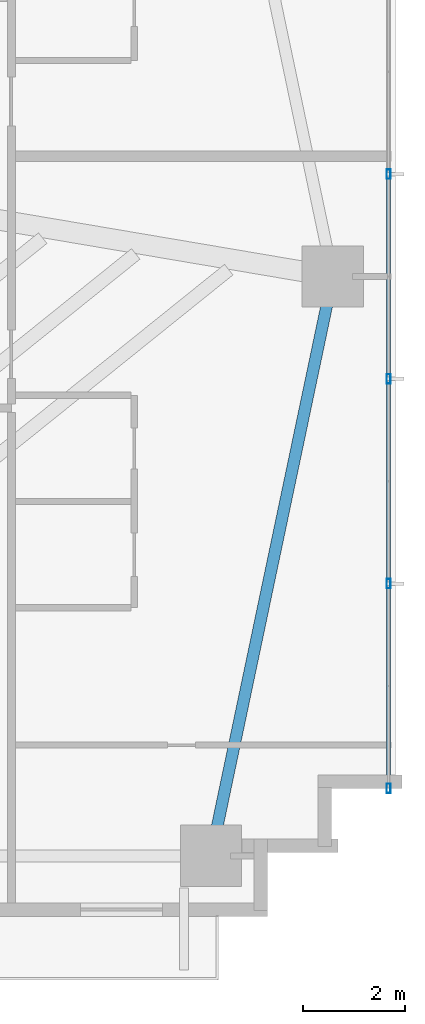
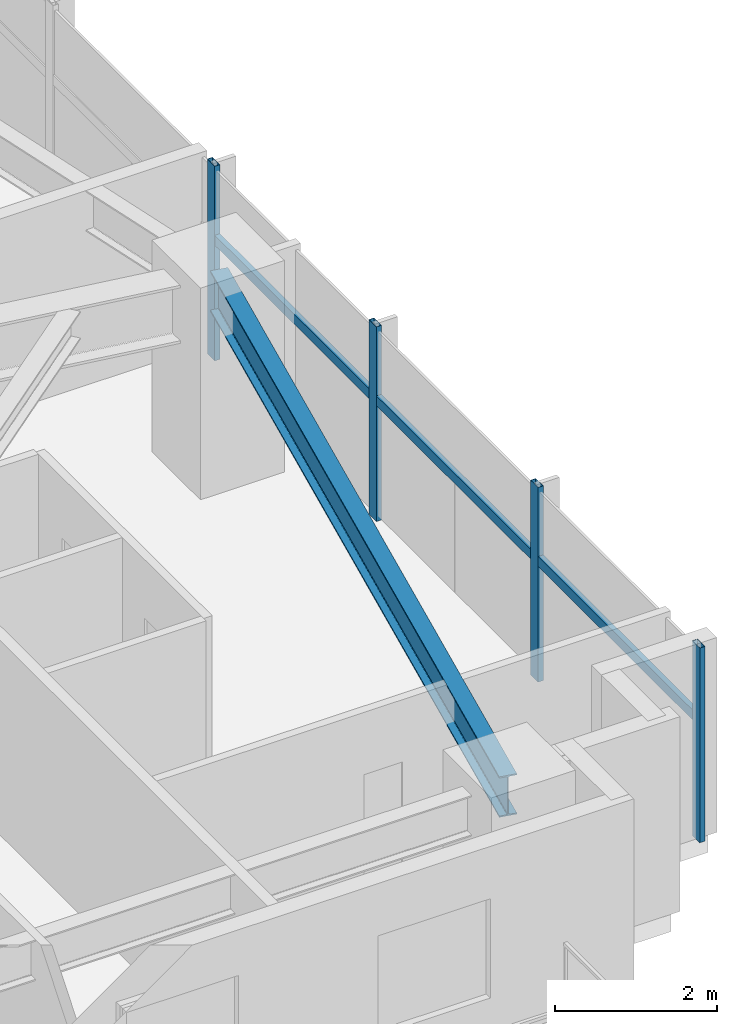
# One storey, part 14 of 25: 7 members, 1 beam, 1 element without a shape of its own.
"""IFC4 building model written with IfcOpenShell, lengths in metres."""

from ifc_helpers import new_model, si_unit, direction, frame, origin, origin_2d, place, context, subcontext, project, spatial, hollow_rectangle, i_section, extrude, source, transform, mapped, material, material_profile, profile_set, type_object, type_shapes, element, aggregate, save


model = new_model("IFC4")

# Units and contexts
model_context = context("Model", 3, precision=1e-05, world=origin(), true_north=direction((0.0, 1.0)))
body_context = subcontext(model_context, "Body", "Model", "MODEL_VIEW")
ifc_project = project(units=[si_unit("LENGTHUNIT", "METRE"), si_unit("AREAUNIT", "SQUARE_METRE"), si_unit("VOLUMEUNIT", "CUBIC_METRE"), si_unit("PLANEANGLEUNIT", "RADIAN"), si_unit("MASSUNIT", "GRAM", prefix="KILO")], contexts=[model_context])

# Site, building, storey
site_placement = place(None, origin())
site = spatial("IfcSite", under=ifc_project, at=site_placement, CompositionType="ELEMENT")
building_placement = place(site_placement, origin())
building = spatial("IfcBuilding", under=site, at=building_placement, Name="Astriad Promenade Condominiums", CompositionType="ELEMENT")
storey_placement = place(building_placement, frame((0.0, 0.0, 45.39990234375)))
storey = spatial("IfcBuildingStorey", under=building, at=storey_placement, Name="L12", CompositionType="ELEMENT", Elevation=45.39990234375)

# Beam
ifc_material_1 = material(Name="Steel ASTM A992 Grade 50", Category="steel")
ifc_material_profile_1 = material_profile(ifc_material_1, i_section(OverallWidth=0.22900390625, OverallDepth=0.612060546875, WebThickness=0.011962890625, FlangeThickness=0.01953125, FilletRadius=0.017822265625, at=origin_2d()), Name="W24X84")
ifc_profile_set_1 = profile_set([ifc_material_profile_1], Name="Steel ASTM A992 Grade 50")
beam_type = type_object("IfcBeamType", Name="STEEL SPANDREL BEAM W24X84", PredefinedType="SPANDREL", material=ifc_profile_set_1)
shared_shape_1 = source(origin(), body_context, "Body", "SweptSolid", [
    extrude(i_section(OverallWidth=0.22900390625, OverallDepth=0.612060546875, WebThickness=0.011962890625, FlangeThickness=0.01953125, FilletRadius=0.017822265625, at=origin_2d()), origin(), (0.0, 0.0, 1.0), 11.487548828125),
])
type_shapes(beam_type, [shared_shape_1])
beam_placement = place(storey_placement, frame((56.208251953125, 3.919189453125, 2.634033203125), z_axis=(0.205748055501, 0.978604995725, 0.0), x_axis=(-0.978604995725, 0.205748055501, 0.0)))
element("IfcBeam", 1, at=beam_placement, inside=storey, type_object=beam_type, Name="Perimeter Spandrel Beam SP-E1-L12", PredefinedType="SPANDREL", context=body_context, shape_type="MappedRepresentation", body=[
    mapped(shared_shape_1, transform((0.0, 0.0, 0.0), scale=1.0)),
])

# Curtain wall, members
ifc_material_2 = material(Name="Anodised aluminium Black Dark Glass Unitised", Category="aluminium")
curtain_wall_type = type_object("IfcCurtainWallType", Name="CW-B1-DARK", PredefinedType="USERDEFINED", material=ifc_material_2)
curtain_wall_placement = place(storey_placement, origin())
curtain_wall = element("IfcCurtainWall", 2, at=curtain_wall_placement, inside=storey, type_object=curtain_wall_type, Name="CW-L12-E", ObjectType="UNITISED_CURTAIN_WALL", PredefinedType="USERDEFINED")
ifc_material_3 = material(Name="Anodised aluminium 6063-T6 Black", Category="aluminium")
ifc_material_profile_2 = material_profile(ifc_material_3, hollow_rectangle(XDim=0.074951171875, YDim=0.14990234375, WallThickness=0.004150390625, at=origin_2d()), Name="ALU-TRN-75X150")
ifc_profile_set_2 = profile_set([ifc_material_profile_2], Name="Anodised aluminium 6063-T6 Black")
member_type_1 = type_object("IfcMemberType", Name="TRN-ALU-TRN-75X150", PredefinedType="USERDEFINED", material=ifc_profile_set_2)
shared_shape_2 = source(origin(), body_context, "Body", "SweptSolid", [
    extrude(hollow_rectangle(XDim=0.074951171875, YDim=0.14990234375, WallThickness=0.004150390625, at=origin_2d()), origin(), (0.0, 0.0, 1.0), 4.0),
])
type_shapes(member_type_1, [shared_shape_2])
member_1_placement = place(storey_placement, frame((59.669921875, 17.199951171875, 1.822998046875), z_axis=(0.0, -1.0, 0.0), x_axis=(1.0, 0.0, 0.0)))
member_1 = element("IfcMember", 3, at=member_1_placement, type_object=member_type_1, Name="CW-L12-E-TRN-02-0", ObjectType="TRANSOM", PredefinedType="USERDEFINED", context=body_context, shape_type="MappedRepresentation", body=[
    mapped(shared_shape_2, transform((0.0, 0.0, 0.0), scale=1.0)),
])
member_2_placement = place(storey_placement, frame((59.669921875, 13.199951171875, 1.822998046875), z_axis=(0.0, -1.0, 0.0), x_axis=(1.0, 0.0, 0.0)))
member_2 = element("IfcMember", 4, at=member_2_placement, type_object=member_type_1, Name="CW-L12-E-TRN-03-0", ObjectType="TRANSOM", PredefinedType="USERDEFINED", context=body_context, shape_type="MappedRepresentation", body=[
    mapped(shared_shape_2, transform((0.0, 0.0, 0.0), scale=1.0)),
])
member_3_placement = place(storey_placement, frame((59.669921875, 9.199951171875, 1.822998046875), z_axis=(0.0, -1.0, 0.0), x_axis=(1.0, 0.0, 0.0)))
member_3 = element("IfcMember", 5, at=member_3_placement, type_object=member_type_1, Name="CW-L12-E-TRN-04-0", ObjectType="TRANSOM", PredefinedType="USERDEFINED", context=body_context, shape_type="MappedRepresentation", body=[
    mapped(shared_shape_2, transform((0.0, 0.0, 0.0), scale=1.0)),
])
ifc_material_profile_3 = material_profile(ifc_material_3, hollow_rectangle(XDim=0.074951171875, YDim=0.18505859375, WallThickness=0.00439453125, at=origin_2d()), Name="ALU-MUL-75X185")
ifc_profile_set_3 = profile_set([ifc_material_profile_3], Name="Anodised aluminium 6063-T6 Black")
member_type_2 = type_object("IfcMemberType", Name="MUL-ALU-MUL-75X185", PredefinedType="MULLION", material=ifc_profile_set_3)
shared_shape_3 = source(origin(), body_context, "Body", "SweptSolid", [
    extrude(hollow_rectangle(XDim=0.074951171875, YDim=0.18505859375, WallThickness=0.00439453125, at=origin_2d()), origin(), (0.0, 0.0, 1.0), 2.940185546875),
])
type_shapes(member_type_2, [shared_shape_3])
member_4_placement = place(storey_placement, frame((59.669921875, 17.199951171875, 0.0), z_axis=(0.0, 0.0, 1.0), x_axis=(1.0, 0.0, 0.0)))
member_4 = element("IfcMember", 6, at=member_4_placement, type_object=member_type_2, Name="CW-L12-E-MUL-02", PredefinedType="MULLION", context=body_context, shape_type="MappedRepresentation", body=[
    mapped(shared_shape_3, transform((0.0, 0.0, 0.0), scale=1.0)),
])
member_5_placement = place(storey_placement, frame((59.669921875, 13.199951171875, 0.0), z_axis=(0.0, 0.0, 1.0), x_axis=(1.0, 0.0, 0.0)))
member_5 = element("IfcMember", 7, at=member_5_placement, type_object=member_type_2, Name="CW-L12-E-MUL-03", PredefinedType="MULLION", context=body_context, shape_type="MappedRepresentation", body=[
    mapped(shared_shape_3, transform((0.0, 0.0, 0.0), scale=1.0)),
])
member_6_placement = place(storey_placement, frame((59.669921875, 9.199951171875, 0.0), z_axis=(0.0, 0.0, 1.0), x_axis=(1.0, 0.0, 0.0)))
member_6 = element("IfcMember", 8, at=member_6_placement, type_object=member_type_2, Name="CW-L12-E-MUL-04", PredefinedType="MULLION", context=body_context, shape_type="MappedRepresentation", body=[
    mapped(shared_shape_3, transform((0.0, 0.0, 0.0), scale=1.0)),
])
member_7_placement = place(storey_placement, frame((59.669921875, 5.199951171875, 0.0), z_axis=(0.0, 0.0, 1.0), x_axis=(1.0, 0.0, 0.0)))
member_7 = element("IfcMember", 9, at=member_7_placement, type_object=member_type_2, Name="CW-L12-E-MUL-05", PredefinedType="MULLION", context=body_context, shape_type="MappedRepresentation", body=[
    mapped(shared_shape_3, transform((0.0, 0.0, 0.0), scale=1.0)),
])
aggregate(curtain_wall, [member_4, member_5, member_6, member_7, member_1, member_2, member_3])

save(model, "model.ifc")
